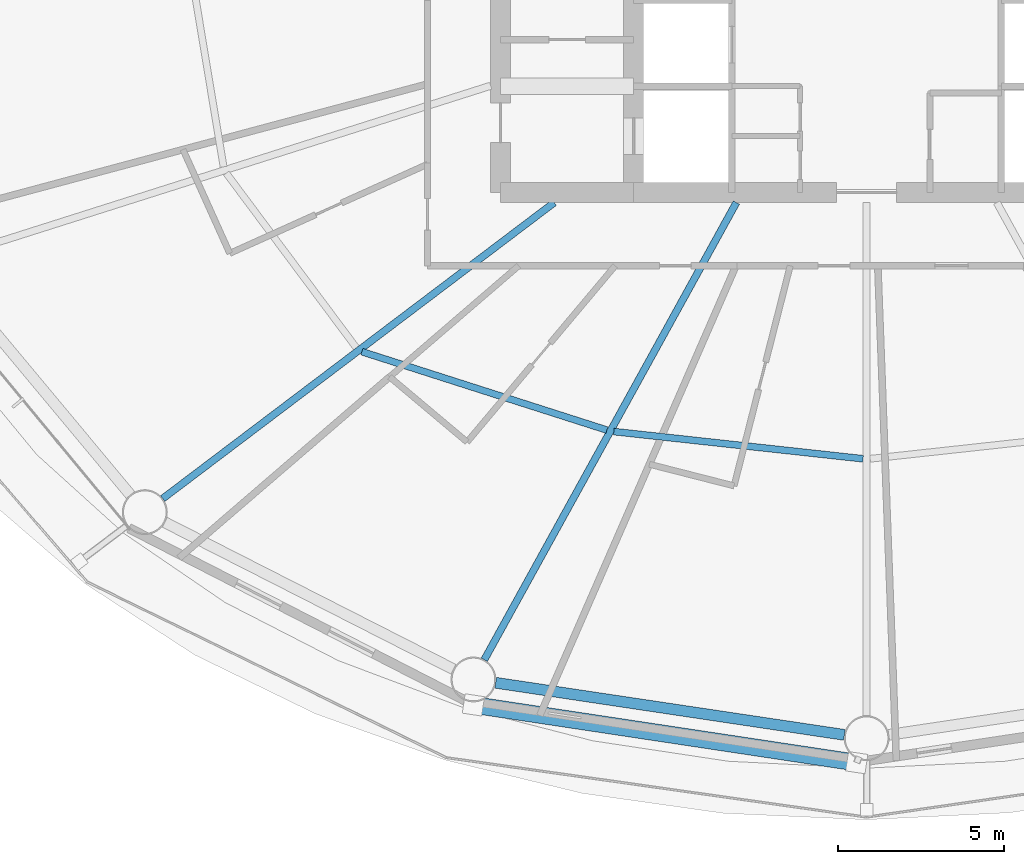
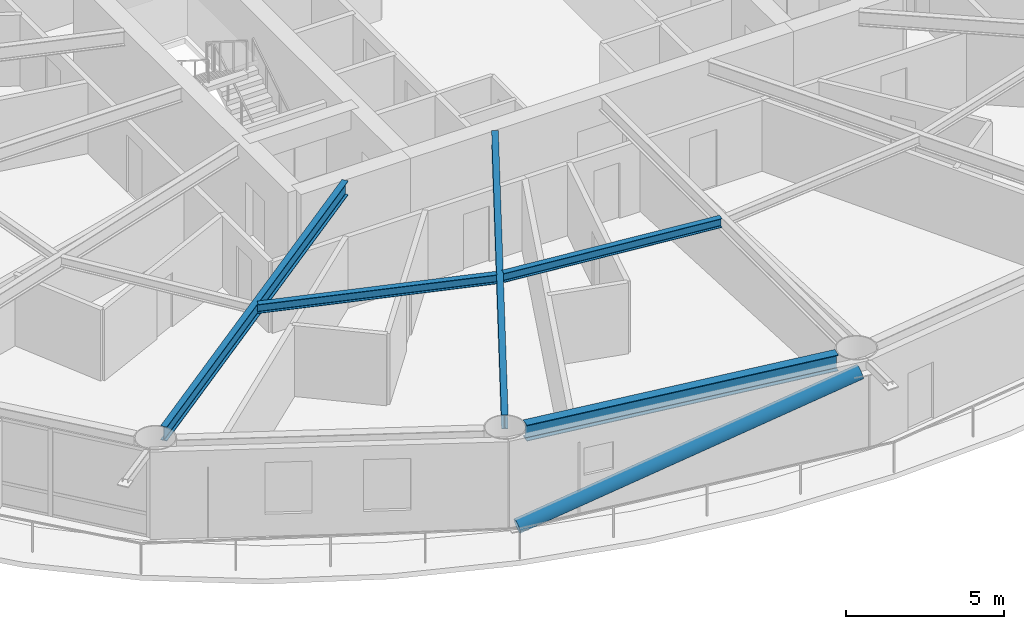
# One storey, part 3 of 26: 5 beams, 1 member.
"""IFC4 building model written with IfcOpenShell, lengths in metres."""

import ifcopenshell
import ifcopenshell.guid

model = None  # the IFC model being written
_history = None  # IfcOwnerHistory: only IFC2X3 demands one
_inside = {}  # id of a spatial element -> (the spatial element, [elements in it])
_under = {}  # id of a project, library or spatial element -> (it, [spatial elements below it])
_declared = {}  # id of a project -> (the project, [libraries it declares])
_typed = {}  # id of a type object -> (the type object, [elements of that type])
_made_of = {}  # id of a material, layer set ... -> (it, [elements and type objects made of it])


def new_model(schema):
    """Start an empty IFC model of exactly this schema.

    Asked for "IFC4X3", IfcOpenShell would pick the latest addendum, in which some entities
    have other attributes; the version numbers below select the first issue.
    IFC2X3 requires an IfcOwnerHistory on every rooted entity: one is made here for all.
    """
    global model, _history
    if schema == "IFC4X3":
        model = ifcopenshell.file(schema_version=(4, 3, 0, 0))
    else:
        model = ifcopenshell.file(schema=schema)
    _inside.clear()
    _under.clear()
    _declared.clear()
    _typed.clear()
    _made_of.clear()
    _history = None
    if model.schema == "IFC2X3":
        org = make("IfcOrganization", Name="unknown")
        user = make(
            "IfcPersonAndOrganization",
            ThePerson=make("IfcPerson", FamilyName="unknown"),
            TheOrganization=org,
        )
        app = make(
            "IfcApplication",
            ApplicationDeveloper=org,
            Version="unknown",
            ApplicationFullName="unknown",
            ApplicationIdentifier="unknown",
        )
        _history = make(
            "IfcOwnerHistory",
            OwningUser=user,
            OwningApplication=app,
            ChangeAction="ADDED",
            CreationDate=0,
        )
    return model


def make(cls, **values):
    """One entity of the class cls with the attributes given. An attribute that is None is left unset."""
    return model.create_entity(
        cls, **{name: value for name, value in values.items() if value is not None}
    )


def rooted(cls, **values):
    """An entity with a GlobalId (a new one), such as an element, a storey or a relation."""
    return make(cls, GlobalId=ifcopenshell.guid.new(), OwnerHistory=_history, **values)


def si_unit(unit_type, name, prefix=None):
    """IfcSIUnit, for example si_unit("LENGTHUNIT", "METRE", prefix="MILLI")."""
    return make("IfcSIUnit", UnitType=unit_type, Prefix=prefix, Name=name)


def assignment(units):
    """IfcUnitAssignment: the units of a project."""
    return None if units is None else make("IfcUnitAssignment", Units=units)


def point(xyz):
    """IfcCartesianPoint."""
    return None if xyz is None else make("IfcCartesianPoint", Coordinates=xyz)


def direction(xyz):
    """IfcDirection."""
    return None if xyz is None else make("IfcDirection", DirectionRatios=xyz)


def frame(location, z_axis=None, x_axis=None):
    """IfcAxis2Placement3D, a coordinate frame: its origin and axes. An axis left out is left unset."""
    return make(
        "IfcAxis2Placement3D",
        Location=point(location),
        Axis=direction(z_axis),
        RefDirection=direction(x_axis),
    )


def frame_2d(location, x_axis=None):
    """IfcAxis2Placement2D, a coordinate frame in the plane: its origin and x axis."""
    return make(
        "IfcAxis2Placement2D", Location=point(location), RefDirection=direction(x_axis)
    )


def origin():
    """The frame at (0, 0, 0) with its axes left unset."""
    return frame((0.0, 0.0, 0.0))


def origin_2d():
    """The frame at (0, 0) in the plane with its x axis left unset."""
    return frame_2d((0.0, 0.0))


def place(relative_to, where):
    """IfcLocalPlacement: puts the frame where relative to a parent placement (None: the world)."""
    return make(
        "IfcLocalPlacement", PlacementRelTo=relative_to, RelativePlacement=where
    )


def context(
    kind, dimensions, precision=None, world=None, true_north=None, identifier=None
):
    """IfcGeometricRepresentationContext, for example the 3D "Model" context."""
    return make(
        "IfcGeometricRepresentationContext",
        ContextIdentifier=identifier,
        ContextType=kind,
        CoordinateSpaceDimension=dimensions,
        Precision=precision,
        WorldCoordinateSystem=world,
        TrueNorth=true_north,
    )


def subcontext(parent, identifier, kind, view, scale=None):
    """IfcGeometricRepresentationSubContext, for example "Body" below "Model"."""
    return make(
        "IfcGeometricRepresentationSubContext",
        ContextIdentifier=identifier,
        ContextType=kind,
        ParentContext=parent,
        TargetScale=scale,
        TargetView=view,
    )


def project(units=None, contexts=None):
    """IfcProject with its units and contexts."""
    return rooted(
        "IfcProject",
        Name="project",
        RepresentationContexts=contexts,
        UnitsInContext=assignment(units),
    )


def spatial(cls, under=None, at=None, **own):
    """A site, building, storey or space (cls), placed at a placement, below another one or the project."""
    s = rooted(cls, ObjectPlacement=at, **own)
    if under is not None:
        _under.setdefault(under.id(), (under, []))[1].append(s)
    return s


def profile(cls, at=None, kind="AREA", **sizes):
    """A parametric profile (cls). Its sizes go by their IFC names, for example OverallWidth=200.0."""
    return make(cls, ProfileType=kind, Position=at, **sizes)


def hollow_circle(**sizes):
    """IfcCircleHollowProfileDef."""
    return profile("IfcCircleHollowProfileDef", **sizes)


def i_section(**sizes):
    """IfcIShapeProfileDef."""
    return profile("IfcIShapeProfileDef", **sizes)


def extrude(swept, where, along, depth):
    """IfcExtrudedAreaSolid: the profile swept, set in the frame where, extruded along a direction by depth."""
    return make(
        "IfcExtrudedAreaSolid",
        SweptArea=swept,
        Position=where,
        ExtrudedDirection=direction(along),
        Depth=depth,
    )


def shape(context_of_items, identifier, shape_type, items):
    """IfcShapeRepresentation: the items that make up one representation, for example the "Body"."""
    return make(
        "IfcShapeRepresentation",
        ContextOfItems=context_of_items,
        RepresentationIdentifier=identifier,
        RepresentationType=shape_type,
        Items=items,
    )


def material(Name=None, Category=None):
    """IfcMaterial."""
    return make("IfcMaterial", Name=Name, Category=Category)


def material_profile(
    of_material, cross_section, Name=None, Category=None, Priority=None
):
    """IfcMaterialProfile: a cross section and its material."""
    return make(
        "IfcMaterialProfile",
        Name=Name,
        Material=of_material,
        Profile=cross_section,
        Priority=Priority,
        Category=Category,
    )


def profile_set(profiles, Name=None, composite=None):
    """IfcMaterialProfileSet."""
    return make(
        "IfcMaterialProfileSet",
        Name=Name,
        MaterialProfiles=profiles,
        CompositeProfile=composite,
    )


def made_of(thing, what):
    """Note that an element or type object is made of a material, layer set ...; save() writes the relation."""
    if what is not None:
        _made_of.setdefault(what.id(), (what, []))[1].append(thing)
    return thing


def type_object(cls, material=None, **own):
    """A type object (cls), such as IfcWallType, which elements share."""
    return made_of(rooted(cls, **own), material)


def element(
    cls,
    number,
    at=None,
    inside=None,
    cuts=None,
    type_object=None,
    material=None,
    context=None,
    identifier="Body",
    shape_type=None,
    held_by="IfcProductDefinitionShape",
    body=None,
    shapes=None,
    **own,
):
    """One element of the class cls, such as IfcWall. Its Tag is "e" and its number.

    at: its placement. inside: the storey or other place that contains it. cuts: it is an
    opening in that element (IfcRelVoidsElement). A single representation is given by context,
    identifier, shape_type and body (its items); several are given by shapes. held_by: the class
    of the entity that holds the representations. save() writes the other relations.
    """
    e = rooted(cls, Tag="e%d" % number, ObjectPlacement=at, **own)
    if body is not None:
        shapes = [shape(context, identifier, shape_type, body)]
    if shapes is not None:
        e.Representation = make(held_by, Representations=shapes)
    if inside is not None:
        _inside.setdefault(inside.id(), (inside, []))[1].append(e)
    if cuts is not None:
        rooted(
            "IfcRelVoidsElement", RelatingBuildingElement=cuts, RelatedOpeningElement=e
        )
    if type_object is not None:
        _typed.setdefault(type_object.id(), (type_object, []))[1].append(e)
    return made_of(e, material)


def aggregate(whole, parts):
    """IfcRelAggregates: a whole, such as a stair, and the parts it consists of."""
    return rooted("IfcRelAggregates", RelatingObject=whole, RelatedObjects=parts)


def save(model, path):
    """Write the relations noted so far, then the file.

    IfcRelAggregates (storeys below a building ...), IfcRelContainedInSpatialStructure (elements
    in a storey), IfcRelDefinesByType, IfcRelAssociatesMaterial and IfcRelDeclares: one each for
    every whole, place, type object, material and project.
    """
    for whole, parts in _under.values():
        aggregate(whole, parts)
    for where, things in _inside.values():
        rooted(
            "IfcRelContainedInSpatialStructure",
            RelatedElements=things,
            RelatingStructure=where,
        )
    for kind, things in _typed.values():
        rooted("IfcRelDefinesByType", RelatedObjects=things, RelatingType=kind)
    for what, things in _made_of.values():
        rooted("IfcRelAssociatesMaterial", RelatedObjects=things, RelatingMaterial=what)
    for by, libraries in _declared.values():
        rooted("IfcRelDeclares", RelatingContext=by, RelatedDefinitions=libraries)
    model.write(path)


model = new_model("IFC4")

# Units and contexts
model_context = context("Model", 3, precision=1e-05, world=origin(), true_north=direction((0.0, 1.0)))
body_context = subcontext(model_context, "Body", "Model", "MODEL_VIEW")
ifc_project = project(units=[si_unit("LENGTHUNIT", "METRE"), si_unit("AREAUNIT", "SQUARE_METRE"), si_unit("VOLUMEUNIT", "CUBIC_METRE"), si_unit("PLANEANGLEUNIT", "RADIAN"), si_unit("MASSUNIT", "GRAM", prefix="KILO")], contexts=[model_context])

# Site, building, storey
site_placement = place(None, origin())
site = spatial("IfcSite", under=ifc_project, at=site_placement, CompositionType="ELEMENT")
building_placement = place(site_placement, origin())
building = spatial("IfcBuilding", under=site, at=building_placement, Name="Sarneth Arch Tower", CompositionType="ELEMENT")
storey_placement = place(building_placement, frame((0.0, 0.0, 39.0)))
storey = spatial("IfcBuildingStorey", under=building, at=storey_placement, Name="L08", CompositionType="ELEMENT", Elevation=39.0)

# Beams
ifc_material_1 = material(Name="Steel S355", Category="steel")
ifc_material_profile_1 = material_profile(ifc_material_1, i_section(OverallWidth=0.2041015625, OverallDepth=0.35009765625, WebThickness=0.008544921875, FlangeThickness=0.01513671875, FilletRadius=0.014892578125, at=origin_2d()), Name="W360x72")
ifc_profile_set_1 = profile_set([ifc_material_profile_1], Name="Steel S355")
beam_type_1 = type_object("IfcBeamType", Name="BM-JOIST-360D", PredefinedType="JOIST", material=ifc_profile_set_1)
beam_1_placement = place(storey_placement, frame((32.82763671875, 30.41845703125, 3.205078125), z_axis=(0.952436240143, -0.304737934073, 0.0), x_axis=(0.304737934073, 0.952436240143, 0.0)))
element("IfcBeam", 1, at=beam_1_placement, inside=storey, type_object=beam_type_1, Name="L08 Secondary floor joist 11", PredefinedType="JOIST", context=body_context, shape_type="SweptSolid", body=[
    extrude(i_section(OverallWidth=0.2041015625, OverallDepth=0.35009765625, WebThickness=0.008544921875, FlangeThickness=0.01513671875, FilletRadius=0.014892578125, at=origin_2d()), origin(), (0.0, 0.0, 1.0), 7.735107421875),
])
beam_2_placement = place(storey_placement, frame((40.403076171875, 28.016845703125, 3.205078125), z_axis=(0.994095251924, -0.108510967657, 0.0), x_axis=(0.108510967657, 0.994095251924, 0.0)))
element("IfcBeam", 2, at=beam_2_placement, inside=storey, type_object=beam_type_1, Name="L08 Secondary floor joist 12", PredefinedType="JOIST", context=body_context, shape_type="SweptSolid", body=[
    extrude(i_section(OverallWidth=0.2041015625, OverallDepth=0.35009765625, WebThickness=0.008544921875, FlangeThickness=0.01513671875, FilletRadius=0.014892578125, at=origin_2d()), origin(), (0.0, 0.0, 1.0), 7.534912109375),
])
ifc_material_2 = material(Name="Steel S355", Category="steel")
ifc_material_profile_2 = material_profile(ifc_material_2, i_section(OverallWidth=0.214111328125, OverallDepth=0.549072265625, WebThickness=0.0146484375, FlangeThickness=0.023681640625, FilletRadius=0.01806640625, at=origin_2d()), Name="W530x138")
ifc_profile_set_2 = profile_set([ifc_material_profile_2], Name="Steel S355")
beam_type_2 = type_object("IfcBeamType", Name="BM-RAD-530A", PredefinedType="BEAM", material=ifc_profile_set_2)
beam_3_placement = place(storey_placement, frame((38.609619140625, 34.89990234375, 3.10546875), z_axis=(-0.797656612852, -0.603111870198, 0.0), x_axis=(0.603111870198, -0.797656612852, 0.0)))
element("IfcBeam", 3, at=beam_3_placement, inside=storey, type_object=beam_type_2, Name="L08 Radial floor girder 11", PredefinedType="BEAM", context=body_context, shape_type="SweptSolid", body=[
    extrude(i_section(OverallWidth=0.214111328125, OverallDepth=0.549072265625, WebThickness=0.0146484375, FlangeThickness=0.023681640625, FilletRadius=0.01806640625, at=origin_2d()), origin(), (0.0, 0.0, 1.0), 14.7529296875),
])
beam_4_placement = place(storey_placement, frame((44.08544921875, 34.89990234375, 3.10546875), z_axis=(-0.482837562311, -0.875709933952, 0.0), x_axis=(0.875709933952, -0.482837562311, 0.0)))
element("IfcBeam", 4, at=beam_4_placement, inside=storey, type_object=beam_type_2, Name="L08 Radial floor girder 12", PredefinedType="BEAM", context=body_context, shape_type="SweptSolid", body=[
    extrude(i_section(OverallWidth=0.214111328125, OverallDepth=0.549072265625, WebThickness=0.0146484375, FlangeThickness=0.023681640625, FilletRadius=0.01806640625, at=origin_2d()), origin(), (0.0, 0.0, 1.0), 15.693359375),
])
ifc_material_3 = material(Name="Steel S355", Category="steel")
ifc_material_profile_3 = material_profile(ifc_material_3, i_section(OverallWidth=0.326904296875, OverallDepth=0.6220703125, WebThickness=0.015380859375, FlangeThickness=0.0244140625, FilletRadius=0.01904296875, at=origin_2d()), Name="W610x195")
ifc_profile_set_3 = profile_set([ifc_material_profile_3], Name="Steel S355")
beam_type_3 = type_object("IfcBeamType", Name="BM-SPAN-610A", PredefinedType="SPANDREL", material=ifc_profile_set_3)
beam_5_placement = place(storey_placement, frame((36.849853515625, 20.46630859375, 3.069091796875), z_axis=(0.989015788086, -0.147809914809, 0.0), x_axis=(0.147809914809, 0.989015788086, 0.0)))
element("IfcBeam", 5, at=beam_5_placement, inside=storey, type_object=beam_type_3, Name="L08 Perimeter spandrel beam 12", PredefinedType="SPANDREL", context=body_context, shape_type="SweptSolid", body=[
    extrude(i_section(OverallWidth=0.326904296875, OverallDepth=0.6220703125, WebThickness=0.015380859375, FlangeThickness=0.0244140625, FilletRadius=0.01904296875, at=origin_2d()), origin(), (0.0, 0.0, 1.0), 10.59912109375),
])

# Member
ifc_material_4 = material(Name="Steel S355", Category="steel")
ifc_material_profile_4 = material_profile(ifc_material_4, hollow_circle(Radius=0.25390625, WallThickness=0.01611328125, at=origin_2d()), Name="CHS508x16")
ifc_profile_set_4 = profile_set([ifc_material_profile_4], Name="Steel S355")
member_type = type_object("IfcMemberType", Name="MEM-DIAG-BR1", PredefinedType="BRACE", material=ifc_profile_set_4)
member_placement = place(storey_placement, frame((36.180419921875, 19.80078125, 0.02001953125), z_axis=(0.957875899759, -0.144316613483, 0.248287083301), x_axis=(0.1489817545, 0.988839944999, 0.0)))
element("IfcMember", 6, at=member_placement, inside=storey, type_object=member_type, Name="L08 Perimeter frame diagonal 12", PredefinedType="BRACE", context=body_context, shape_type="SweptSolid", body=[
    extrude(hollow_circle(Radius=0.25390625, WallThickness=0.01611328125, at=origin_2d()), origin(), (0.0, 0.0, 1.0), 12.02978515625),
])

save(model, "model.ifc")
